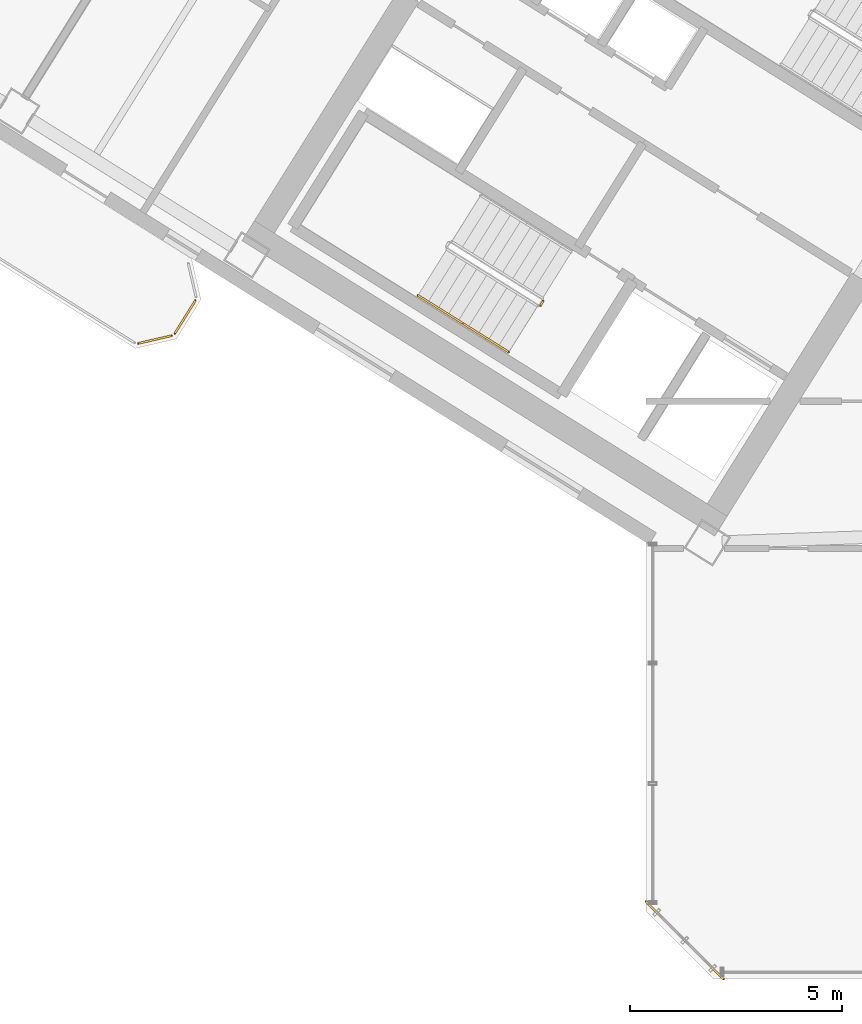
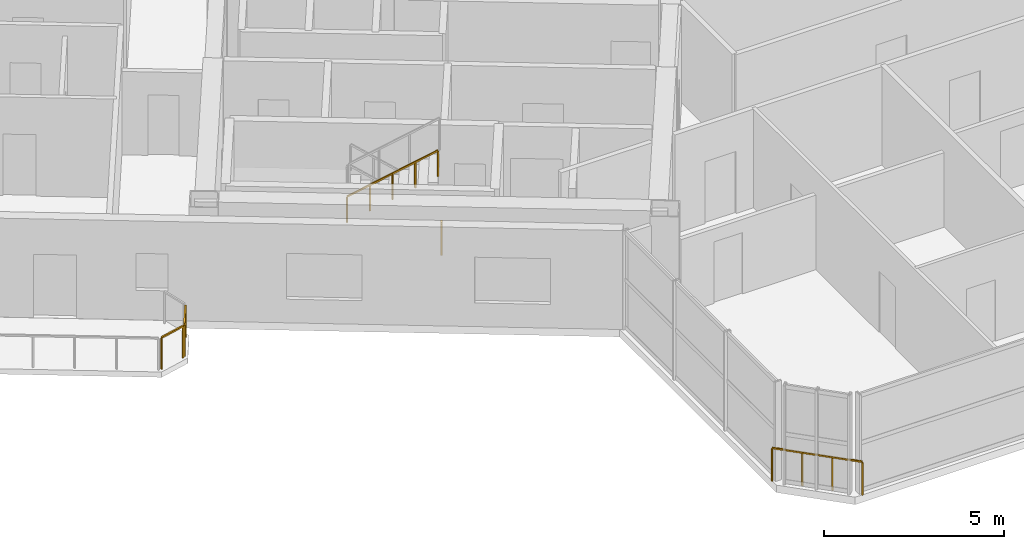
# One storey, part 17 of 20: 6 railings.
"""IFC4 building model written with IfcOpenShell, lengths in metres."""

import ifcopenshell
import ifcopenshell.guid

model = None  # the IFC model being written
_history = None  # IfcOwnerHistory: only IFC2X3 demands one
_inside = {}  # id of a spatial element -> (the spatial element, [elements in it])
_under = {}  # id of a project, library or spatial element -> (it, [spatial elements below it])
_declared = {}  # id of a project -> (the project, [libraries it declares])
_typed = {}  # id of a type object -> (the type object, [elements of that type])
_made_of = {}  # id of a material, layer set ... -> (it, [elements and type objects made of it])


def new_model(schema):
    """Start an empty IFC model of exactly this schema.

    Asked for "IFC4X3", IfcOpenShell would pick the latest addendum, in which some entities
    have other attributes; the version numbers below select the first issue.
    IFC2X3 requires an IfcOwnerHistory on every rooted entity: one is made here for all.
    """
    global model, _history
    if schema == "IFC4X3":
        model = ifcopenshell.file(schema_version=(4, 3, 0, 0))
    else:
        model = ifcopenshell.file(schema=schema)
    _inside.clear()
    _under.clear()
    _declared.clear()
    _typed.clear()
    _made_of.clear()
    _history = None
    if model.schema == "IFC2X3":
        org = make("IfcOrganization", Name="unknown")
        user = make(
            "IfcPersonAndOrganization",
            ThePerson=make("IfcPerson", FamilyName="unknown"),
            TheOrganization=org,
        )
        app = make(
            "IfcApplication",
            ApplicationDeveloper=org,
            Version="unknown",
            ApplicationFullName="unknown",
            ApplicationIdentifier="unknown",
        )
        _history = make(
            "IfcOwnerHistory",
            OwningUser=user,
            OwningApplication=app,
            ChangeAction="ADDED",
            CreationDate=0,
        )
    return model


def make(cls, **values):
    """One entity of the class cls with the attributes given. An attribute that is None is left unset."""
    return model.create_entity(
        cls, **{name: value for name, value in values.items() if value is not None}
    )


def rooted(cls, **values):
    """An entity with a GlobalId (a new one), such as an element, a storey or a relation."""
    return make(cls, GlobalId=ifcopenshell.guid.new(), OwnerHistory=_history, **values)


def si_unit(unit_type, name, prefix=None):
    """IfcSIUnit, for example si_unit("LENGTHUNIT", "METRE", prefix="MILLI")."""
    return make("IfcSIUnit", UnitType=unit_type, Prefix=prefix, Name=name)


def assignment(units):
    """IfcUnitAssignment: the units of a project."""
    return None if units is None else make("IfcUnitAssignment", Units=units)


def point(xyz):
    """IfcCartesianPoint."""
    return None if xyz is None else make("IfcCartesianPoint", Coordinates=xyz)


def direction(xyz):
    """IfcDirection."""
    return None if xyz is None else make("IfcDirection", DirectionRatios=xyz)


def frame(location, z_axis=None, x_axis=None):
    """IfcAxis2Placement3D, a coordinate frame: its origin and axes. An axis left out is left unset."""
    return make(
        "IfcAxis2Placement3D",
        Location=point(location),
        Axis=direction(z_axis),
        RefDirection=direction(x_axis),
    )


def frame_2d(location, x_axis=None):
    """IfcAxis2Placement2D, a coordinate frame in the plane: its origin and x axis."""
    return make(
        "IfcAxis2Placement2D", Location=point(location), RefDirection=direction(x_axis)
    )


def origin():
    """The frame at (0, 0, 0) with its axes left unset."""
    return frame((0.0, 0.0, 0.0))


def origin_2d():
    """The frame at (0, 0) in the plane with its x axis left unset."""
    return frame_2d((0.0, 0.0))


def place(relative_to, where):
    """IfcLocalPlacement: puts the frame where relative to a parent placement (None: the world)."""
    return make(
        "IfcLocalPlacement", PlacementRelTo=relative_to, RelativePlacement=where
    )


def context(
    kind, dimensions, precision=None, world=None, true_north=None, identifier=None
):
    """IfcGeometricRepresentationContext, for example the 3D "Model" context."""
    return make(
        "IfcGeometricRepresentationContext",
        ContextIdentifier=identifier,
        ContextType=kind,
        CoordinateSpaceDimension=dimensions,
        Precision=precision,
        WorldCoordinateSystem=world,
        TrueNorth=true_north,
    )


def subcontext(parent, identifier, kind, view, scale=None):
    """IfcGeometricRepresentationSubContext, for example "Body" below "Model"."""
    return make(
        "IfcGeometricRepresentationSubContext",
        ContextIdentifier=identifier,
        ContextType=kind,
        ParentContext=parent,
        TargetScale=scale,
        TargetView=view,
    )


def project(units=None, contexts=None):
    """IfcProject with its units and contexts."""
    return rooted(
        "IfcProject",
        Name="project",
        RepresentationContexts=contexts,
        UnitsInContext=assignment(units),
    )


def spatial(cls, under=None, at=None, **own):
    """A site, building, storey or space (cls), placed at a placement, below another one or the project."""
    s = rooted(cls, ObjectPlacement=at, **own)
    if under is not None:
        _under.setdefault(under.id(), (under, []))[1].append(s)
    return s


def profile(cls, at=None, kind="AREA", **sizes):
    """A parametric profile (cls). Its sizes go by their IFC names, for example OverallWidth=200.0."""
    return make(cls, ProfileType=kind, Position=at, **sizes)


def rectangle(**sizes):
    """IfcRectangleProfileDef."""
    return profile("IfcRectangleProfileDef", **sizes)


def extrude(swept, where, along, depth):
    """IfcExtrudedAreaSolid: the profile swept, set in the frame where, extruded along a direction by depth."""
    return make(
        "IfcExtrudedAreaSolid",
        SweptArea=swept,
        Position=where,
        ExtrudedDirection=direction(along),
        Depth=depth,
    )


def shape(context_of_items, identifier, shape_type, items):
    """IfcShapeRepresentation: the items that make up one representation, for example the "Body"."""
    return make(
        "IfcShapeRepresentation",
        ContextOfItems=context_of_items,
        RepresentationIdentifier=identifier,
        RepresentationType=shape_type,
        Items=items,
    )


def source(mapping_origin, context_of_items, identifier, shape_type, items):
    """IfcRepresentationMap: a shape defined once, which mapped items show again and again."""
    return make(
        "IfcRepresentationMap",
        MappingOrigin=mapping_origin,
        MappedRepresentation=shape(context_of_items, identifier, shape_type, items),
    )


def transform(
    local_origin,
    x_axis=None,
    y_axis=None,
    z_axis=None,
    scale=None,
    scale2=None,
    scale3=None,
    uniform=True,
):
    """IfcCartesianTransformationOperator3D, or its non-uniform kind. x_axis, y_axis, z_axis: its Axis1, 2, 3."""
    if uniform:
        return make(
            "IfcCartesianTransformationOperator3D",
            Axis1=direction(x_axis),
            Axis2=direction(y_axis),
            LocalOrigin=point(local_origin),
            Scale=scale,
            Axis3=direction(z_axis),
        )
    return make(
        "IfcCartesianTransformationOperator3DnonUniform",
        Axis1=direction(x_axis),
        Axis2=direction(y_axis),
        LocalOrigin=point(local_origin),
        Scale=scale,
        Axis3=direction(z_axis),
        Scale2=scale2,
        Scale3=scale3,
    )


def mapped(mapping_source, mapping_target):
    """IfcMappedItem: shows the shape of a source again, moved by a transform."""
    return make(
        "IfcMappedItem", MappingSource=mapping_source, MappingTarget=mapping_target
    )


def material(Name=None, Category=None):
    """IfcMaterial."""
    return make("IfcMaterial", Name=Name, Category=Category)


def made_of(thing, what):
    """Note that an element or type object is made of a material, layer set ...; save() writes the relation."""
    if what is not None:
        _made_of.setdefault(what.id(), (what, []))[1].append(thing)
    return thing


def type_object(cls, material=None, **own):
    """A type object (cls), such as IfcWallType, which elements share."""
    return made_of(rooted(cls, **own), material)


def element(
    cls,
    number,
    at=None,
    inside=None,
    cuts=None,
    type_object=None,
    material=None,
    context=None,
    identifier="Body",
    shape_type=None,
    held_by="IfcProductDefinitionShape",
    body=None,
    shapes=None,
    **own,
):
    """One element of the class cls, such as IfcWall. Its Tag is "e" and its number.

    at: its placement. inside: the storey or other place that contains it. cuts: it is an
    opening in that element (IfcRelVoidsElement). A single representation is given by context,
    identifier, shape_type and body (its items); several are given by shapes. held_by: the class
    of the entity that holds the representations. save() writes the other relations.
    """
    e = rooted(cls, Tag="e%d" % number, ObjectPlacement=at, **own)
    if body is not None:
        shapes = [shape(context, identifier, shape_type, body)]
    if shapes is not None:
        e.Representation = make(held_by, Representations=shapes)
    if inside is not None:
        _inside.setdefault(inside.id(), (inside, []))[1].append(e)
    if cuts is not None:
        rooted(
            "IfcRelVoidsElement", RelatingBuildingElement=cuts, RelatedOpeningElement=e
        )
    if type_object is not None:
        _typed.setdefault(type_object.id(), (type_object, []))[1].append(e)
    return made_of(e, material)


def aggregate(whole, parts):
    """IfcRelAggregates: a whole, such as a stair, and the parts it consists of."""
    return rooted("IfcRelAggregates", RelatingObject=whole, RelatedObjects=parts)


def save(model, path):
    """Write the relations noted so far, then the file.

    IfcRelAggregates (storeys below a building ...), IfcRelContainedInSpatialStructure (elements
    in a storey), IfcRelDefinesByType, IfcRelAssociatesMaterial and IfcRelDeclares: one each for
    every whole, place, type object, material and project.
    """
    for whole, parts in _under.values():
        aggregate(whole, parts)
    for where, things in _inside.values():
        rooted(
            "IfcRelContainedInSpatialStructure",
            RelatedElements=things,
            RelatingStructure=where,
        )
    for kind, things in _typed.values():
        rooted("IfcRelDefinesByType", RelatedObjects=things, RelatingType=kind)
    for what, things in _made_of.values():
        rooted("IfcRelAssociatesMaterial", RelatedObjects=things, RelatingMaterial=what)
    for by, libraries in _declared.values():
        rooted("IfcRelDeclares", RelatingContext=by, RelatedDefinitions=libraries)
    model.write(path)


model = new_model("IFC4")

# Units and contexts
model_context = context("Model", 3, precision=1e-05, world=origin(), true_north=direction((0.0, 1.0)))
body_context = subcontext(model_context, "Body", "Model", "MODEL_VIEW")
ifc_project = project(units=[si_unit("LENGTHUNIT", "METRE"), si_unit("AREAUNIT", "SQUARE_METRE"), si_unit("VOLUMEUNIT", "CUBIC_METRE"), si_unit("PLANEANGLEUNIT", "RADIAN"), si_unit("MASSUNIT", "GRAM", prefix="KILO")], contexts=[model_context])

# Site, building, storey
site_placement = place(None, origin())
site = spatial("IfcSite", under=ifc_project, at=site_placement, CompositionType="ELEMENT")
building_placement = place(site_placement, origin())
building = spatial("IfcBuilding", under=site, at=building_placement, Name="Tlacorven Tower", CompositionType="ELEMENT")
storey_placement = place(building_placement, frame((0.0, 0.0, 187.800048828125)))
storey = spatial("IfcBuildingStorey", under=building, at=storey_placement, Name="L47", CompositionType="ELEMENT", Elevation=187.800048828125)

# Railings
ifc_material = material(Name="Aluminium and painted steel balustrade", Category="steel")
railing_type_1 = type_object("IfcRailingType", Name="RL-BAL-1100", PredefinedType="BALUSTRADE", material=ifc_material)
shared_shape_1 = source(origin(), body_context, "Body", "SweptSolid", [
    extrude(rectangle(XDim=0.048095703125, YDim=0.048095703125, at=origin_2d()), frame((0.0, 0.0, 1.076171875), z_axis=(-0.52987865805, -0.848073468364, 0.0), x_axis=(0.848073468364, -0.52987865805, 0.0)), (0.0, 0.0, 1.0), 0.912353515625),
    extrude(rectangle(XDim=0.0419921875, YDim=0.0419921875, at=origin_2d()), origin(), (0.0, 0.0, 1.0), 1.052001953125),
    extrude(rectangle(XDim=0.0419921875, YDim=0.0419921875, at=origin_2d()), frame((-0.4833984375, -0.773681640625, 0.0)), (0.0, 0.0, 1.0), 1.052001953125),
])
railing_1_placement = place(storey_placement, frame((20.976318359375, 17.793701171875, 0.0)))
element("IfcRailing", 1, at=railing_1_placement, inside=storey, type_object=railing_type_1, Name="BAL-L47-W-OUT Guard Railing 2", PredefinedType="BALUSTRADE", context=body_context, shape_type="MappedRepresentation", body=[
    mapped(shared_shape_1, transform((0.0, 0.0, 0.0), scale=1.0)),
])
shared_shape_2 = source(origin(), body_context, "Body", "SweptSolid", [
    extrude(rectangle(XDim=0.048095703125, YDim=0.048095703125, at=origin_2d()), frame((0.0, 0.0, 1.076171875), z_axis=(-0.974345290916, -0.225058334816, 0.0), x_axis=(0.225058334816, -0.974345290916, 0.0)), (0.0, 0.0, 1.0), 0.80712890625),
    extrude(rectangle(XDim=0.0419921875, YDim=0.0419921875, at=origin_2d()), origin(), (0.0, 0.0, 1.0), 1.052001953125),
    extrude(rectangle(XDim=0.0419921875, YDim=0.0419921875, at=origin_2d()), frame((-0.786376953125, -0.181640625, 0.0)), (0.0, 0.0, 1.0), 1.052001953125),
])
railing_2_placement = place(storey_placement, frame((20.417724609375, 16.966552734375, 0.0)))
element("IfcRailing", 2, at=railing_2_placement, inside=storey, type_object=railing_type_1, Name="BAL-L47-W-OUT Guard Railing 3", PredefinedType="BALUSTRADE", context=body_context, shape_type="MappedRepresentation", body=[
    mapped(shared_shape_2, transform((0.0, 0.0, 0.0), scale=1.0)),
])
railing_type_2 = type_object("IfcRailingType", Name="RL-GRD-1150", PredefinedType="GUARDRAIL", material=ifc_material)
shared_shape_3 = source(origin(), body_context, "Body", "SweptSolid", [
    extrude(rectangle(XDim=0.048095703125, YDim=0.048095703125, at=origin_2d()), frame((0.0, 0.0, 1.1259765625), z_axis=(-0.707106781187, 0.707106781187, 0.0), x_axis=(-0.707106781187, -0.707106781187, 0.0)), (0.0, 0.0, 1.0), 2.590087890625),
    extrude(rectangle(XDim=0.0419921875, YDim=0.0419921875, at=origin_2d()), origin(), (0.0, 0.0, 1.0), 1.101806640625),
    extrude(rectangle(XDim=0.0419921875, YDim=0.0419921875, at=origin_2d()), frame((-0.610595703125, 0.610595703125, 0.0)), (0.0, 0.0, 1.0), 1.101806640625),
    extrude(rectangle(XDim=0.0419921875, YDim=0.0419921875, at=origin_2d()), frame((-1.220947265625, 1.220947265625, 0.0)), (0.0, 0.0, 1.0), 1.101806640625),
    extrude(rectangle(XDim=0.0419921875, YDim=0.0419921875, at=origin_2d()), frame((-1.83154296875, 1.83154296875, 0.0)), (0.0, 0.0, 1.0), 1.101806640625),
])
railing_3_placement = place(storey_placement, frame((33.428955078125, 1.79736328125, 0.0)))
element("IfcRailing", 3, at=railing_3_placement, inside=storey, type_object=railing_type_2, Name="L47 Knuckle Glazed Sill Guard 1", PredefinedType="GUARDRAIL", context=body_context, shape_type="MappedRepresentation", body=[
    mapped(shared_shape_3, transform((0.0, 0.0, 0.0), scale=1.0)),
])
railing_type_3 = type_object("IfcRailingType", Name="RL-GRD-1100", PredefinedType="GUARDRAIL", material=ifc_material)
shared_shape_4 = source(origin(), body_context, "Body", "SweptSolid", [
    extrude(rectangle(XDim=0.048095703125, YDim=0.048095703125, at=origin_2d()), frame((0.0, 0.0, 1.076171875), z_axis=(-0.529084052582, -0.848569422795, 0.0), x_axis=(0.848569422795, -0.529084052582, 0.0)), (0.0, 0.0, 1.0), 0.119873046875),
    extrude(rectangle(XDim=0.0419921875, YDim=0.0419921875, at=origin_2d()), origin(), (0.0, 0.0, 1.0), 1.052001953125),
    extrude(rectangle(XDim=0.0419921875, YDim=0.0419921875, at=origin_2d()), frame((-0.0634765625, -0.101806640625, 0.0)), (0.0, 0.0, 1.0), 1.052001953125),
])
railing_4_placement = place(storey_placement, frame((29.176513671875, 17.782958984375, 0.0)))
element("IfcRailing", 4, at=railing_4_placement, inside=storey, type_object=railing_type_3, Name="L47 ST-W1 stair guard 4", PredefinedType="GUARDRAIL", context=body_context, shape_type="MappedRepresentation", body=[
    mapped(shared_shape_4, transform((0.0, 0.0, 0.0), scale=1.0)),
])
railing_type_4 = type_object("IfcRailingType", Name="RL-HND-0900", PredefinedType="HANDRAIL", material=ifc_material)
shared_shape_5 = source(origin(), body_context, "Body", "SweptSolid", [
    extrude(rectangle(XDim=0.048095703125, YDim=0.048095703125, at=origin_2d()), frame((0.0, 0.0, 0.8759765625), z_axis=(0.713359751793, -0.4457479829, 0.540764828981), x_axis=(0.529911857636, 0.848052724267, 0.0)), (0.0, 0.0, 1.0), 1.498046875),
    extrude(rectangle(XDim=0.0419921875, YDim=0.0419921875, at=origin_2d()), origin(), (0.0, 0.0, 1.0), 0.851806640625),
    extrude(rectangle(XDim=0.0419921875, YDim=0.0419921875, at=origin_2d()), frame((0.5341796875, -0.333984375, 0.405029296875)), (0.0, 0.0, 1.0), 0.851806640625),
    extrude(rectangle(XDim=0.0419921875, YDim=0.0419921875, at=origin_2d()), frame((1.068603515625, -0.667724609375, 0.81005859375)), (0.0, 0.0, 1.0), 0.851806640625),
])
railing_5_placement = place(storey_placement, frame((26.228759765625, 17.915283203125, 1.97998046875)))
element("IfcRailing", 5, at=railing_5_placement, inside=storey, type_object=railing_type_4, Name="L47 ST-W1 stair handrail 3", PredefinedType="HANDRAIL", context=body_context, shape_type="MappedRepresentation", body=[
    mapped(shared_shape_5, transform((0.0, 0.0, 0.0), scale=1.0)),
])
shared_shape_6 = source(origin(), body_context, "Body", "SweptSolid", [
    extrude(rectangle(XDim=0.048095703125, YDim=0.048095703125, at=origin_2d()), frame((0.0, 0.0, 0.8759765625), z_axis=(0.713342573076, -0.445839108173, 0.540712366292), x_axis=(0.529998940003, 0.847998304005, 0.0)), (0.0, 0.0, 1.0), 1.49755859375),
    extrude(rectangle(XDim=0.0419921875, YDim=0.0419921875, at=origin_2d()), origin(), (0.0, 0.0, 1.0), 0.851806640625),
    extrude(rectangle(XDim=0.0419921875, YDim=0.0419921875, at=origin_2d()), frame((0.5341796875, -0.333984375, 0.40478515625)), (0.0, 0.0, 1.0), 0.851806640625),
    extrude(rectangle(XDim=0.0419921875, YDim=0.0419921875, at=origin_2d()), frame((1.068359375, -0.667724609375, 0.809814453125)), (0.0, 0.0, 1.0), 0.851806640625),
])
railing_6_placement = place(storey_placement, frame((27.29736328125, 17.24755859375, 2.7900390625)))
element("IfcRailing", 6, at=railing_6_placement, inside=storey, type_object=railing_type_4, Name="L47 ST-W1 stair handrail 4", PredefinedType="HANDRAIL", context=body_context, shape_type="MappedRepresentation", body=[
    mapped(shared_shape_6, transform((0.0, 0.0, 0.0), scale=1.0)),
])

save(model, "model.ifc")
